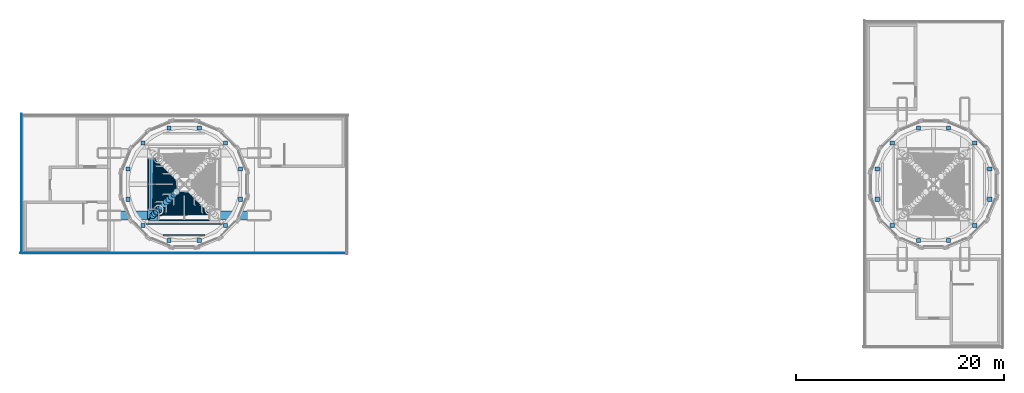
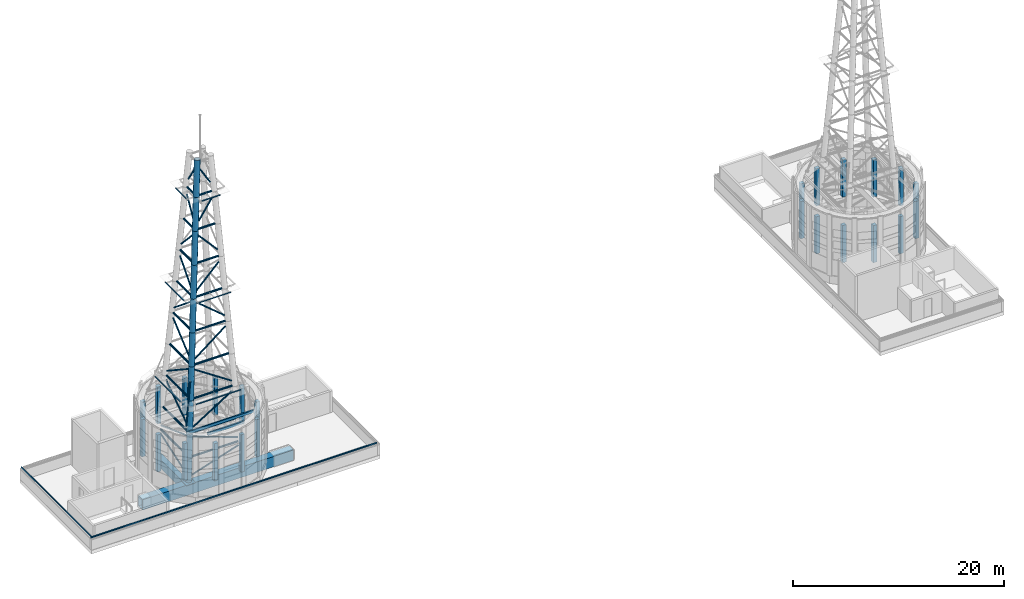
# One storey, part 1 of 36: 52 members, 24 columns, 10 beams.
"""IFC4 building model written with IfcOpenShell, lengths in metres."""

from ifc_helpers import new_model, si_unit, direction, frame, origin, origin_2d, place, context, subcontext, project, spatial, rectangle, hollow_rectangle, hollow_circle, extrude, material, material_profile, profile_set, type_object, element, save


model = new_model("IFC4")

# Units and contexts
model_context = context("Model", 3, precision=1e-05, world=origin(), true_north=direction((0.0, 1.0)))
body_context = subcontext(model_context, "Body", "Model", "MODEL_VIEW")
ifc_project = project(units=[si_unit("LENGTHUNIT", "METRE"), si_unit("AREAUNIT", "SQUARE_METRE"), si_unit("VOLUMEUNIT", "CUBIC_METRE"), si_unit("PLANEANGLEUNIT", "RADIAN"), si_unit("MASSUNIT", "GRAM", prefix="KILO")], contexts=[model_context])

# Site, building, storey
site_placement = place(None, origin())
site = spatial("IfcSite", under=ifc_project, at=site_placement, CompositionType="ELEMENT")
building_placement = place(site_placement, origin())
building = spatial("IfcBuilding", under=site, at=building_placement, Name="Ipe Terrace Towers", CompositionType="ELEMENT")
storey_placement = place(building_placement, frame((0.0, 0.0, 264.89990234375)))
storey = spatial("IfcBuildingStorey", under=building, at=storey_placement, Name="Roof", CompositionType="ELEMENT", Elevation=264.89990234375)

# Columns
ifc_material_1 = material(Name="Concrete C40/50", Category="concrete")
ifc_material_profile_1 = material_profile(ifc_material_1, rectangle(XDim=0.39990234375, YDim=0.39990234375, at=origin_2d()), Name="CROWN-DRUM POST C40/50 400x400")
ifc_profile_set_1 = profile_set([ifc_material_profile_1], Name="Concrete C40/50")
column_type = type_object("IfcColumnType", Name="CROWN-DRUM POST C40/50 400x400", PredefinedType="COLUMN", material=ifc_profile_set_1)
for number, where, z_axis, x_axis, name in (
    (1, (-30.591064453125, 1.448974609375, 2.400146484375), (0.0, 0.0, 1.0), (1.0, 0.0, 0.0), "T1-CP01 drum post"),
    (2, (-32.0400390625, 3.9599609375, 2.400146484375), (0.0, 0.0, 1.0), (1.0, 0.0, 0.0), "T1-CP02 drum post"),
    (3, (-34.551025390625, 5.408935546875, 2.400146484375), (0.0, 0.0, 1.0), (1.0, 0.0, 0.0), "T1-CP03 drum post"),
    (4, (-37.448974609375, 5.408935546875, 2.400146484375), (0.0, 0.0, 1.0), (1.0, 0.0, 0.0), "T1-CP04 drum post"),
    (5, (-39.9599609375, 3.9599609375, 2.400146484375), (0.0, 0.0, 1.0), (1.0, 0.0, 0.0), "T1-CP05 drum post"),
    (6, (-41.408935546875, 1.448974609375, 2.400146484375), (0.0, 0.0, 1.0), (1.0, 0.0, 0.0), "T1-CP06 drum post"),
    (7, (-41.408935546875, -1.448974609375, 2.400146484375), (0.0, 0.0, 1.0), (1.0, 0.0, 0.0), "T1-CP07 drum post"),
    (8, (-39.9599609375, -3.9599609375, 2.400146484375), (0.0, 0.0, 1.0), (1.0, 0.0, 0.0), "T1-CP08 drum post"),
    (9, (-37.448974609375, -5.408935546875, 2.400146484375), (0.0, 0.0, 1.0), (1.0, 0.0, 0.0), "T1-CP09 drum post"),
    (10, (-34.551025390625, -5.408935546875, 2.400146484375), (0.0, 0.0, 1.0), (1.0, 0.0, 0.0), "T1-CP10 drum post"),
    (11, (-32.0400390625, -3.9599609375, 2.400146484375), (0.0, 0.0, 1.0), (1.0, 0.0, 0.0), "T1-CP11 drum post"),
    (12, (-30.591064453125, -1.448974609375, 2.400146484375), (0.0, 0.0, 1.0), (1.0, 0.0, 0.0), "T1-CP12 drum post"),
    (13, (34.551025390625, 5.408935546875, 2.400146484375), (0.0, 0.0, 1.0), (1.0, 0.0, 0.0), "T2-CP01 drum post"),
    (14, (32.0400390625, 3.9599609375, 2.400146484375), (0.0, 0.0, 1.0), (1.0, 0.0, 0.0), "T2-CP02 drum post"),
    (15, (30.591064453125, 1.448974609375, 2.400146484375), (0.0, 0.0, 1.0), (1.0, 0.0, 0.0), "T2-CP03 drum post"),
    (16, (30.591064453125, -1.448974609375, 2.400146484375), (0.0, 0.0, 1.0), (1.0, 0.0, 0.0), "T2-CP04 drum post"),
    (17, (32.0400390625, -3.9599609375, 2.400146484375), (0.0, 0.0, 1.0), (1.0, 0.0, 0.0), "T2-CP05 drum post"),
    (18, (34.551025390625, -5.408935546875, 2.400146484375), (0.0, 0.0, 1.0), (1.0, 0.0, 0.0), "T2-CP06 drum post"),
    (19, (37.448974609375, -5.408935546875, 2.400146484375), (0.0, 0.0, 1.0), (1.0, 0.0, 0.0), "T2-CP07 drum post"),
    (20, (39.9599609375, -3.9599609375, 2.400146484375), (0.0, 0.0, 1.0), (1.0, 0.0, 0.0), "T2-CP08 drum post"),
    (21, (41.408935546875, -1.448974609375, 2.400146484375), (0.0, 0.0, 1.0), (1.0, 0.0, 0.0), "T2-CP09 drum post"),
    (22, (41.408935546875, 1.448974609375, 2.400146484375), (0.0, 0.0, 1.0), (1.0, 0.0, 0.0), "T2-CP10 drum post"),
    (23, (39.9599609375, 3.9599609375, 2.400146484375), (0.0, 0.0, 1.0), (1.0, 0.0, 0.0), "T2-CP11 drum post"),
    (24, (37.448974609375, 5.408935546875, 2.400146484375), (0.0, 0.0, 1.0), (1.0, 0.0, 0.0), "T2-CP12 drum post"),
):
    element("IfcColumn", number, at=place(storey_placement, frame(where, z_axis=z_axis, x_axis=x_axis)), inside=storey, type_object=column_type, Name=name, PredefinedType="COLUMN", context=body_context, shape_type="SweptSolid", body=[
        extrude(rectangle(XDim=0.39990234375, YDim=0.39990234375, at=origin_2d()), origin(), (0.0, 0.0, 1.0), 4.300048828125),
    ])

# Beams
ifc_material_2 = material(Name="Steel S355", Category="steel")
ifc_material_profile_2 = material_profile(ifc_material_2, hollow_rectangle(XDim=0.60009765625, YDim=1.0, WallThickness=0.030029296875, at=origin_2d()), Name="CROWN-CROSS BEAM BOX 600x1000x30")
ifc_profile_set_2 = profile_set([ifc_material_profile_2], Name="Steel S355")
beam_type_1 = type_object("IfcBeamType", Name="CROWN-CROSS BEAM BOX 600x1000x30", PredefinedType="BEAM", material=ifc_profile_set_2)
beam_1_placement = place(storey_placement, frame((-39.0, -2.60009765625, 0.5), z_axis=(0.0, 1.0, 0.0), x_axis=(-1.0, 0.0, 0.0)))
element("IfcBeam", 25, at=beam_1_placement, inside=storey, type_object=beam_type_1, Name="T1-CX1 crown cross beam", PredefinedType="BEAM", context=body_context, shape_type="SweptSolid", body=[
    extrude(hollow_rectangle(XDim=0.60009765625, YDim=1.0, WallThickness=0.030029296875, at=origin_2d()), origin(), (0.0, 0.0, 1.0), 5.2001953125),
])
ifc_material_3 = material(Name="Steel S355", Category="steel")
ifc_material_profile_3 = material_profile(ifc_material_3, hollow_rectangle(XDim=0.14990234375, YDim=0.300048828125, WallThickness=0.010009765625, at=origin_2d()), Name="CROWN-DRUM PURLIN BOX 150x300x10")
ifc_profile_set_3 = profile_set([ifc_material_profile_3], Name="Steel S355")
beam_type_2 = type_object("IfcBeamType", Name="CROWN-DRUM PURLIN BOX 150x300x10", PredefinedType="BEAM", material=ifc_profile_set_3)
beam_2_placement = place(storey_placement, frame((-39.68701171875, -3.800048828125, 7.550048828125), z_axis=(1.0, 0.0, 0.0), x_axis=(0.0, 1.0, 0.0)))
element("IfcBeam", 26, at=beam_2_placement, inside=storey, type_object=beam_type_2, Name="T1-CR-PU1S drum roof purlin", PredefinedType="BEAM", context=body_context, shape_type="SweptSolid", body=[
    extrude(hollow_rectangle(XDim=0.14990234375, YDim=0.300048828125, WallThickness=0.010009765625, at=origin_2d()), origin(), (0.0, 0.0, 1.0), 7.3740234375),
])
beam_3_placement = place(storey_placement, frame((-38.01806640625, -4.89990234375, 7.550048828125), z_axis=(1.0, 0.0, 0.0), x_axis=(0.0, 1.0, 0.0)))
element("IfcBeam", 27, at=beam_3_placement, inside=storey, type_object=beam_type_2, Name="T1-CR-PU2S drum roof purlin", PredefinedType="BEAM", context=body_context, shape_type="SweptSolid", body=[
    extrude(hollow_rectangle(XDim=0.14990234375, YDim=0.300048828125, WallThickness=0.010009765625, at=origin_2d()), origin(), (0.0, 0.0, 1.0), 4.0361328125),
])
ifc_material_4 = material(Name="Steel S355", Category="steel")
ifc_material_profile_4 = material_profile(ifc_material_4, hollow_rectangle(XDim=0.800048828125, YDim=1.199951171875, WallThickness=0.0400390625, at=origin_2d()), Name="CROWN-GIRDER BOX 800x1200x40")
ifc_profile_set_4 = profile_set([ifc_material_profile_4], Name="Steel S355")
beam_type_3 = type_object("IfcBeamType", Name="CROWN-GIRDER BOX 800x1200x40", PredefinedType="BEAM", material=ifc_profile_set_4)
beam_4_placement = place(storey_placement, frame((-44.25, -3.0, 0.60009765625), z_axis=(1.0, 0.0, 0.0), x_axis=(0.0, 1.0, 0.0)))
element("IfcBeam", 28, at=beam_4_placement, inside=storey, type_object=beam_type_3, Name="T1-CG1 crown girder", PredefinedType="BEAM", context=body_context, shape_type="SweptSolid", body=[
    extrude(hollow_rectangle(XDim=0.800048828125, YDim=1.199951171875, WallThickness=0.0400390625, at=origin_2d()), origin(), (0.0, 0.0, 1.0), 16.5),
])

# Members
ifc_material_5 = material(Name="Steel S355", Category="steel")
member_type_1 = type_object("IfcMemberType", Name="MAST-BASE PLATE 1000x1000x50", PredefinedType="PLATE", material=ifc_material_5)
member_1_placement = place(storey_placement, frame((-39.0, -3.0, 1.2001953125), z_axis=(0.0, 0.0, 1.0), x_axis=(1.0, 0.0, 0.0)))
element("IfcMember", 29, at=member_1_placement, inside=storey, type_object=member_type_1, Name="T1-MP-SW mast base plate", PredefinedType="PLATE", context=body_context, shape_type="SweptSolid", body=[
    extrude(rectangle(XDim=1.0, YDim=1.0, at=origin_2d()), origin(), (0.0, 0.0, 1.0), 0.050048828125),
])
ifc_material_6 = material(Name="Steel S355", Category="steel")
ifc_material_profile_5 = material_profile(ifc_material_6, hollow_circle(Radius=0.083984375, WallThickness=0.008056640625, at=origin_2d()), Name="MAST-BRACE CHS 168x8")
ifc_profile_set_5 = profile_set([ifc_material_profile_5], Name="Steel S355")
member_type_2 = type_object("IfcMemberType", Name="MAST-BRACE CHS 168x8", PredefinedType="BRACE", material=ifc_profile_set_5)
for number, where, z_axis, x_axis, name in (
    (30, (-38.653076171875, -2.9609375, 1.84619140625), (0.95633740865, 0.018900125811, 0.291653126265), (-0.019759172589, 0.999804768492, 0.0), "T1-MS-081 mast brace"),
    (31, (-38.9609375, -2.653076171875, 1.84619140625), (0.018900125811, 0.95633740865, 0.291653126265), (-0.999804768492, 0.019759172589, 0.0), "T1-MS-084 mast brace"),
):
    element("IfcMember", number, at=place(storey_placement, frame(where, z_axis=z_axis, x_axis=x_axis)), inside=storey, type_object=member_type_2, Name=name, PredefinedType="BRACE", context=body_context, shape_type="SweptSolid", body=[
        extrude(hollow_circle(Radius=0.083984375, WallThickness=0.008056640625, at=origin_2d()), origin(), (0.0, 0.0, 1.0), 5.451171875),
    ])
for number, where, z_axis, x_axis, name in (
    (32, (-33.510986328125, -2.800048828125, 4.337158203125), (-0.943457644837, 0.021489448759, 0.330795822209), (-0.022771426579, -0.999740697447, 0.0), "T1-MS-085 mast brace"),
    (33, (-38.800048828125, 2.489013671875, 4.337158203125), (0.021489448759, -0.943457644837, 0.330795822209), (0.999740697447, 0.022771426579, 0.0), "T1-MS-088 mast brace"),
):
    element("IfcMember", number, at=place(storey_placement, frame(where, z_axis=z_axis, x_axis=x_axis)), inside=storey, type_object=member_type_2, Name=name, PredefinedType="BRACE", context=body_context, shape_type="SweptSolid", body=[
        extrude(hollow_circle(Radius=0.083984375, WallThickness=0.008056640625, at=origin_2d()), origin(), (0.0, 0.0, 1.0), 5.169189453125),
    ])
for number, where, z_axis, x_axis, name in (
    (34, (-38.299072265625, -2.625, 7.049072265625), (0.861593500924, 0.032799136464, 0.506538108944), (-0.038040440683, 0.999276200493, 0.0), "T1-MS-089 mast brace"),
    (35, (-38.625, -2.299072265625, 7.049072265625), (0.032799136464, 0.861593500924, 0.506538108944), (-0.999276200493, 0.038040440683, 0.0), "T1-MS-092 mast brace"),
):
    element("IfcMember", number, at=place(storey_placement, frame(where, z_axis=z_axis, x_axis=x_axis)), inside=storey, type_object=member_type_2, Name=name, PredefinedType="BRACE", context=body_context, shape_type="SweptSolid", body=[
        extrude(hollow_circle(Radius=0.083984375, WallThickness=0.008056640625, at=origin_2d()), origin(), (0.0, 0.0, 1.0), 5.15087890625),
    ])
for number, where, z_axis, x_axis, name in (
    (36, (-33.944091796875, -2.384033203125, 10.760009765625), (-0.838296395107, 0.035198613688, 0.544077394811), (-0.041951303887, -0.999119656549, 0.0), "T1-MS-093 mast brace"),
    (37, (-38.384033203125, 2.055908203125, 10.760009765625), (0.035198613688, -0.838296395107, 0.544077394811), (0.999119656549, 0.041951303887, 0.0), "T1-MS-096 mast brace"),
):
    element("IfcMember", number, at=place(storey_placement, frame(where, z_axis=z_axis, x_axis=x_axis)), inside=storey, type_object=member_type_2, Name=name, PredefinedType="BRACE", context=body_context, shape_type="SweptSolid", body=[
        extrude(hollow_circle(Radius=0.083984375, WallThickness=0.008056640625, at=origin_2d()), origin(), (0.0, 0.0, 1.0), 4.716552734375),
    ])
for number, where, z_axis, x_axis, name in (
    (38, (-37.81201171875, -2.14404296875, 14.47705078125), (0.809549669247, 0.038048207912, 0.58581709338), (-0.046947402964, 0.998897362773, 0.0), "T1-MS-097 mast brace"),
    (39, (-38.14404296875, -1.81201171875, 14.47705078125), (0.038048207912, 0.809549669247, 0.58581709338), (-0.998897362773, 0.046947402964, 0.0), "T1-MS-100 mast brace"),
):
    element("IfcMember", number, at=place(storey_placement, frame(where, z_axis=z_axis, x_axis=x_axis)), inside=storey, type_object=member_type_2, Name=name, PredefinedType="BRACE", context=body_context, shape_type="SweptSolid", body=[
        extrude(hollow_circle(Radius=0.083984375, WallThickness=0.008056640625, at=origin_2d()), origin(), (0.0, 0.0, 1.0), 4.286376953125),
    ])
for number, where, z_axis, x_axis, name in (
    (40, (-34.43310546875, -1.902099609375, 18.2021484375), (-0.772991343968, 0.04098334077, 0.633091421463), (-0.052944783342, -0.998597441373, 0.0), "T1-MS-101 mast brace"),
    (41, (-37.902099609375, 1.56689453125, 18.2021484375), (0.04098334077, -0.772991343968, 0.633091421463), (0.998597441373, 0.052944783342, 0.0), "T1-MS-104 mast brace"),
):
    element("IfcMember", number, at=place(storey_placement, frame(where, z_axis=z_axis, x_axis=x_axis)), inside=storey, type_object=member_type_2, Name=name, PredefinedType="BRACE", context=body_context, shape_type="SweptSolid", body=[
        extrude(hollow_circle(Radius=0.083984375, WallThickness=0.008056640625, at=origin_2d()), origin(), (0.0, 0.0, 1.0), 3.860107421875),
    ])
for number, where, z_axis, x_axis, name in (
    (42, (-37.321044921875, -1.659912109375, 21.940185546875), (0.727074463766, 0.044215908923, 0.685133328293), (-0.060701311747, 0.998155975162, 0.0), "T1-MS-105 mast brace"),
    (43, (-37.659912109375, -1.321044921875, 21.940185546875), (0.044215908923, 0.727074463766, 0.685133328293), (-0.998155975162, 0.060701311747, 0.0), "T1-MS-108 mast brace"),
):
    element("IfcMember", number, at=place(storey_placement, frame(where, z_axis=z_axis, x_axis=x_axis)), inside=storey, type_object=member_type_2, Name=name, PredefinedType="BRACE", context=body_context, shape_type="SweptSolid", body=[
        extrude(hollow_circle(Radius=0.083984375, WallThickness=0.008056640625, at=origin_2d()), origin(), (0.0, 0.0, 1.0), 3.434326171875),
    ])
for number, where, z_axis, x_axis, name in (
    (44, (-34.926025390625, -1.4169921875, 25.697021484375), (-0.668752352567, 0.047924679705, 0.741939024456), (-0.071479511749, -0.997442068192, 0.0), "T1-MS-109 mast brace"),
    (45, (-37.4169921875, 1.073974609375, 25.697021484375), (0.047924679705, -0.668752352567, 0.741939024456), (0.997442068192, 0.071479511749, 0.0), "T1-MS-112 mast brace"),
):
    element("IfcMember", number, at=place(storey_placement, frame(where, z_axis=z_axis, x_axis=x_axis)), inside=storey, type_object=member_type_2, Name=name, PredefinedType="BRACE", context=body_context, shape_type="SweptSolid", body=[
        extrude(hollow_circle(Radius=0.083984375, WallThickness=0.008056640625, at=origin_2d()), origin(), (0.0, 0.0, 1.0), 3.005615234375),
    ])
for number, where, z_axis, x_axis, name in (
    (46, (-36.823974609375, -1.172119140625, 29.488037109375), (0.594854854142, 0.052037864447, 0.802146971051), (-0.087147114263, 0.996195452949, 0.0), "T1-MS-113 mast brace"),
    (47, (-37.172119140625, -0.823974609375, 29.488037109375), (0.052037864447, 0.594854854142, 0.802146971051), (-0.996195452949, 0.087147114263, 0.0), "T1-MS-116 mast brace"),
):
    element("IfcMember", number, at=place(storey_placement, frame(where, z_axis=z_axis, x_axis=x_axis)), inside=storey, type_object=member_type_2, Name=name, PredefinedType="BRACE", context=body_context, shape_type="SweptSolid", body=[
        extrude(hollow_circle(Radius=0.083984375, WallThickness=0.008056640625, at=origin_2d()), origin(), (0.0, 0.0, 1.0), 2.556884765625),
    ])
for number, where, z_axis, x_axis, name in (
    (48, (-35.429931640625, -0.922119140625, 33.342041015625), (-0.502115544078, 0.056120894342, 0.862977650703), (-0.111077233897, -0.993811777003, 0.0), "T1-MS-117 mast brace"),
    (49, (-36.922119140625, 0.570068359375, 33.342041015625), (0.056120894342, -0.502115544078, 0.862977650703), (0.993811777003, 0.111077233897, 0.0), "T1-MS-120 mast brace"),
):
    element("IfcMember", number, at=place(storey_placement, frame(where, z_axis=z_axis, x_axis=x_axis)), inside=storey, type_object=member_type_2, Name=name, PredefinedType="BRACE", context=body_context, shape_type="SweptSolid", body=[
        extrude(hollow_circle(Radius=0.083984375, WallThickness=0.008056640625, at=origin_2d()), origin(), (0.0, 0.0, 1.0), 2.05322265625),
    ])
ifc_material_7 = material(Name="Steel S355", Category="steel")
ifc_material_profile_6 = material_profile(ifc_material_7, hollow_circle(Radius=0.304931640625, WallThickness=0.02490234375, at=origin_2d()), Name="MAST-LEG CHS 610x25")
ifc_profile_set_6 = profile_set([ifc_material_profile_6], Name="Steel S355")
member_type_3 = type_object("IfcMemberType", Name="MAST-LEG CHS 610x25", PredefinedType="POST", material=ifc_profile_set_6)
member_2_placement = place(storey_placement, frame((-38.998046875, -2.998046875, 1.277099609375), z_axis=(0.064386978036, 0.064386978036, 0.995845687905), x_axis=(-0.707106781187, 0.707106781187, 0.0)))
element("IfcMember", 50, at=member_2_placement, inside=storey, type_object=member_type_3, Name="T1-MS-001 mast leg", PredefinedType="POST", context=body_context, shape_type="SweptSolid", body=[
    extrude(hollow_circle(Radius=0.304931640625, WallThickness=0.02490234375, at=origin_2d()), origin(), (0.0, 0.0, 1.0), 2.608642578125),
])
member_3_placement = place(storey_placement, frame((-38.830078125, -2.830078125, 3.875), z_axis=(0.064554439306, 0.064554439306, 0.995824004898), x_axis=(-0.707106781187, 0.707106781187, 0.0)))
element("IfcMember", 51, at=member_3_placement, inside=storey, type_object=member_type_3, Name="T1-MS-002 mast leg", PredefinedType="POST", context=body_context, shape_type="SweptSolid", body=[
    extrude(hollow_circle(Radius=0.304931640625, WallThickness=0.02490234375, at=origin_2d()), origin(), (0.0, 0.0, 1.0), 2.635986328125),
])
member_4_placement = place(storey_placement, frame((-38.659912109375, -2.659912109375, 6.5), z_axis=(0.064555132618, 0.064555132618, 0.99582391501), x_axis=(-0.707106781187, 0.707106781187, 0.0)))
element("IfcMember", 52, at=member_4_placement, inside=storey, type_object=member_type_3, Name="T1-MS-003 mast leg", PredefinedType="POST", context=body_context, shape_type="SweptSolid", body=[
    extrude(hollow_circle(Radius=0.304931640625, WallThickness=0.02490234375, at=origin_2d()), origin(), (0.0, 0.0, 1.0), 3.702392578125),
])
member_5_placement = place(storey_placement, frame((-38.4208984375, -2.4208984375, 10.18701171875), z_axis=(0.064211293321, 0.064211293321, 0.995868374646), x_axis=(-0.707106781187, 0.707106781187, 0.0)))
element("IfcMember", 53, at=member_5_placement, inside=storey, type_object=member_type_3, Name="T1-MS-004 mast leg", PredefinedType="POST", context=body_context, shape_type="SweptSolid", body=[
    extrude(hollow_circle(Radius=0.304931640625, WallThickness=0.02490234375, at=origin_2d()), origin(), (0.0, 0.0, 1.0), 3.703369140625),
])
member_6_placement = place(storey_placement, frame((-38.18310546875, -2.18310546875, 13.875), z_axis=(0.064555132618, 0.064555132618, 0.99582391501), x_axis=(-0.707106781187, 0.707106781187, 0.0)))
element("IfcMember", 54, at=member_6_placement, inside=storey, type_object=member_type_3, Name="T1-MS-005 mast leg", PredefinedType="POST", context=body_context, shape_type="SweptSolid", body=[
    extrude(hollow_circle(Radius=0.304931640625, WallThickness=0.02490234375, at=origin_2d()), origin(), (0.0, 0.0, 1.0), 3.702392578125),
])
member_7_placement = place(storey_placement, frame((-37.944091796875, -1.944091796875, 17.56201171875), z_axis=(0.06453818113, 0.06453818113, 0.995826112508), x_axis=(-0.707106781187, 0.707106781187, 0.0)))
element("IfcMember", 55, at=member_7_placement, inside=storey, type_object=member_type_3, Name="T1-MS-006 mast leg", PredefinedType="POST", context=body_context, shape_type="SweptSolid", body=[
    extrude(hollow_circle(Radius=0.304931640625, WallThickness=0.02490234375, at=origin_2d()), origin(), (0.0, 0.0, 1.0), 3.703369140625),
])
member_8_placement = place(storey_placement, frame((-37.705078125, -1.705078125, 21.25), z_axis=(0.064555132618, 0.064555132618, 0.99582391501), x_axis=(-0.707106781187, 0.707106781187, 0.0)))
element("IfcMember", 56, at=member_8_placement, inside=storey, type_object=member_type_3, Name="T1-MS-007 mast leg", PredefinedType="POST", context=body_context, shape_type="SweptSolid", body=[
    extrude(hollow_circle(Radius=0.304931640625, WallThickness=0.02490234375, at=origin_2d()), origin(), (0.0, 0.0, 1.0), 3.702392578125),
])
member_9_placement = place(storey_placement, frame((-37.466064453125, -1.466064453125, 24.93701171875), z_axis=(0.06427667421, 0.06427667421, 0.9958599391), x_axis=(-0.707106781187, 0.707106781187, 0.0)))
element("IfcMember", 57, at=member_9_placement, inside=storey, type_object=member_type_3, Name="T1-MS-008 mast leg", PredefinedType="POST", context=body_context, shape_type="SweptSolid", body=[
    extrude(hollow_circle(Radius=0.304931640625, WallThickness=0.02490234375, at=origin_2d()), origin(), (0.0, 0.0, 1.0), 3.703369140625),
])
member_10_placement = place(storey_placement, frame((-37.22802734375, -1.22802734375, 28.625), z_axis=(0.064555132618, 0.064555132618, 0.99582391501), x_axis=(-0.707106781187, 0.707106781187, 0.0)))
element("IfcMember", 58, at=member_10_placement, inside=storey, type_object=member_type_3, Name="T1-MS-009 mast leg", PredefinedType="POST", context=body_context, shape_type="SweptSolid", body=[
    extrude(hollow_circle(Radius=0.304931640625, WallThickness=0.02490234375, at=origin_2d()), origin(), (0.0, 0.0, 1.0), 3.702392578125),
])
member_11_placement = place(storey_placement, frame((-36.989013671875, -0.989013671875, 32.31201171875), z_axis=(0.064601727709, 0.064601727709, 0.995817871678), x_axis=(-0.707106781187, 0.707106781187, 0.0)))
element("IfcMember", 59, at=member_11_placement, inside=storey, type_object=member_type_3, Name="T1-MS-010 mast leg", PredefinedType="POST", context=body_context, shape_type="SweptSolid", body=[
    extrude(hollow_circle(Radius=0.304931640625, WallThickness=0.02490234375, at=origin_2d()), origin(), (0.0, 0.0, 1.0), 4.054931640625),
])

# Beams
ifc_material_8 = material(Name="Steel S355", Category="steel")
ifc_material_profile_7 = material_profile(ifc_material_8, hollow_rectangle(XDim=0.10009765625, YDim=0.10009765625, WallThickness=0.006103515625, at=origin_2d()), Name="MAST-PLATFORM EDGE BEAM BOX 100x100x6")
ifc_profile_set_7 = profile_set([ifc_material_profile_7], Name="Steel S355")
beam_type_4 = type_object("IfcBeamType", Name="MAST-PLATFORM EDGE BEAM BOX 100x100x6", PredefinedType="BEAM", material=ifc_profile_set_7)
for number, where, z_axis, x_axis, name in (
    (60, (-38.470947265625, -3.470947265625, 10.2470703125), (1.0, 0.0, 0.0), (0.0, 1.0, 0.0), "T1-MS-129 mast platform edge beam"),
    (61, (-39.470947265625, -2.470947265625, 10.2470703125), (0.0, 1.0, 0.0), (-1.0, 0.0, 0.0), "T1-MS-131 mast platform edge beam"),
):
    element("IfcBeam", number, at=place(storey_placement, frame(where, z_axis=z_axis, x_axis=x_axis)), inside=storey, type_object=beam_type_4, Name=name, PredefinedType="BEAM", context=body_context, shape_type="SweptSolid", body=[
        extrude(hollow_rectangle(XDim=0.10009765625, YDim=0.10009765625, WallThickness=0.006103515625, at=origin_2d()), origin(), (0.0, 0.0, 1.0), 4.94189453125),
    ])
for number, where, z_axis, x_axis, name in (
    (62, (-37.7548828125, -2.7548828125, 21.31005859375), (1.0, 0.0, 0.0), (0.0, 1.0, 0.0), "T1-MS-145 mast platform edge beam"),
    (63, (-38.7548828125, -1.7548828125, 21.31005859375), (0.0, 1.0, 0.0), (-1.0, 0.0, 0.0), "T1-MS-147 mast platform edge beam"),
):
    element("IfcBeam", number, at=place(storey_placement, frame(where, z_axis=z_axis, x_axis=x_axis)), inside=storey, type_object=beam_type_4, Name=name, PredefinedType="BEAM", context=body_context, shape_type="SweptSolid", body=[
        extrude(hollow_rectangle(XDim=0.10009765625, YDim=0.10009765625, WallThickness=0.006103515625, at=origin_2d()), origin(), (0.0, 0.0, 1.0), 3.509765625),
    ])
for number, where, z_axis, x_axis, name in (
    (64, (-37.0390625, -2.0390625, 32.3720703125), (1.0, 0.0, 0.0), (0.0, 1.0, 0.0), "T1-MS-161 mast platform edge beam"),
    (65, (-38.0390625, -1.0390625, 32.3720703125), (0.0, 1.0, 0.0), (-1.0, 0.0, 0.0), "T1-MS-163 mast platform edge beam"),
):
    element("IfcBeam", number, at=place(storey_placement, frame(where, z_axis=z_axis, x_axis=x_axis)), inside=storey, type_object=beam_type_4, Name=name, PredefinedType="BEAM", context=body_context, shape_type="SweptSolid", body=[
        extrude(hollow_rectangle(XDim=0.10009765625, YDim=0.10009765625, WallThickness=0.006103515625, at=origin_2d()), origin(), (0.0, 0.0, 1.0), 2.078125),
    ])

# Members
ifc_material_9 = material(Name="Steel S355", Category="steel")
ifc_material_profile_8 = material_profile(ifc_material_9, hollow_circle(Radius=0.109619140625, WallThickness=0.010009765625, at=origin_2d()), Name="MAST-RING CHS 219x10")
ifc_profile_set_8 = profile_set([ifc_material_profile_8], Name="Steel S355")
member_type_4 = type_object("IfcMemberType", Name="MAST-RING CHS 219x10", PredefinedType="STRUT", material=ifc_profile_set_8)
for number, where, z_axis, x_axis, name in (
    (66, (-38.51806640625, -2.830078125, 3.875), (1.0, 0.0, 0.0), (0.0, 1.0, 0.0), "T1-MS-041 mast ring"),
    (67, (-38.830078125, 2.51806640625, 3.875), (0.0, -1.0, 0.0), (1.0, 0.0, 0.0), "T1-MS-044 mast ring"),
):
    element("IfcMember", number, at=place(storey_placement, frame(where, z_axis=z_axis, x_axis=x_axis)), inside=storey, type_object=member_type_4, Name=name, PredefinedType="STRUT", context=body_context, shape_type="SweptSolid", body=[
        extrude(hollow_circle(Radius=0.109619140625, WallThickness=0.010009765625, at=origin_2d()), origin(), (0.0, 0.0, 1.0), 5.0361328125),
    ])
for number, where, z_axis, x_axis, name in (
    (68, (-38.347900390625, -2.659912109375, 6.5), (1.0, 0.0, 0.0), (0.0, 1.0, 0.0), "T1-MS-045 mast ring"),
    (69, (-38.659912109375, 2.347900390625, 6.5), (0.0, -1.0, 0.0), (1.0, 0.0, 0.0), "T1-MS-048 mast ring"),
):
    element("IfcMember", number, at=place(storey_placement, frame(where, z_axis=z_axis, x_axis=x_axis)), inside=storey, type_object=member_type_4, Name=name, PredefinedType="STRUT", context=body_context, shape_type="SweptSolid", body=[
        extrude(hollow_circle(Radius=0.109619140625, WallThickness=0.010009765625, at=origin_2d()), origin(), (0.0, 0.0, 1.0), 4.69580078125),
    ])
for number, where, z_axis, x_axis, name in (
    (70, (-38.10888671875, -2.4208984375, 10.18701171875), (1.0, 0.0, 0.0), (0.0, 1.0, 0.0), "T1-MS-049 mast ring"),
    (71, (-38.4208984375, 2.10888671875, 10.18701171875), (0.0, -1.0, 0.0), (1.0, 0.0, 0.0), "T1-MS-052 mast ring"),
):
    element("IfcMember", number, at=place(storey_placement, frame(where, z_axis=z_axis, x_axis=x_axis)), inside=storey, type_object=member_type_4, Name=name, PredefinedType="STRUT", context=body_context, shape_type="SweptSolid", body=[
        extrude(hollow_circle(Radius=0.109619140625, WallThickness=0.010009765625, at=origin_2d()), origin(), (0.0, 0.0, 1.0), 4.2177734375),
    ])
for number, where, z_axis, x_axis, name in (
    (72, (-37.8701171875, -2.18310546875, 13.875), (1.0, 0.0, 0.0), (0.0, 1.0, 0.0), "T1-MS-053 mast ring"),
    (73, (-38.18310546875, 1.8701171875, 13.875), (0.0, -1.0, 0.0), (1.0, 0.0, 0.0), "T1-MS-056 mast ring"),
):
    element("IfcMember", number, at=place(storey_placement, frame(where, z_axis=z_axis, x_axis=x_axis)), inside=storey, type_object=member_type_4, Name=name, PredefinedType="STRUT", context=body_context, shape_type="SweptSolid", body=[
        extrude(hollow_circle(Radius=0.109619140625, WallThickness=0.010009765625, at=origin_2d()), origin(), (0.0, 0.0, 1.0), 3.740234375),
    ])
for number, where, z_axis, x_axis, name in (
    (74, (-37.632080078125, -1.944091796875, 17.56201171875), (1.0, 0.0, 0.0), (0.0, 1.0, 0.0), "T1-MS-057 mast ring"),
    (75, (-37.944091796875, 1.632080078125, 17.56201171875), (0.0, -1.0, 0.0), (1.0, 0.0, 0.0), "T1-MS-060 mast ring"),
):
    element("IfcMember", number, at=place(storey_placement, frame(where, z_axis=z_axis, x_axis=x_axis)), inside=storey, type_object=member_type_4, Name=name, PredefinedType="STRUT", context=body_context, shape_type="SweptSolid", body=[
        extrude(hollow_circle(Radius=0.109619140625, WallThickness=0.010009765625, at=origin_2d()), origin(), (0.0, 0.0, 1.0), 3.26416015625),
    ])
for number, where, z_axis, x_axis, name in (
    (76, (-37.39306640625, -1.705078125, 21.25), (1.0, 0.0, 0.0), (0.0, 1.0, 0.0), "T1-MS-061 mast ring"),
    (77, (-37.705078125, 1.39306640625, 21.25), (0.0, -1.0, 0.0), (1.0, 0.0, 0.0), "T1-MS-064 mast ring"),
):
    element("IfcMember", number, at=place(storey_placement, frame(where, z_axis=z_axis, x_axis=x_axis)), inside=storey, type_object=member_type_4, Name=name, PredefinedType="STRUT", context=body_context, shape_type="SweptSolid", body=[
        extrude(hollow_circle(Radius=0.109619140625, WallThickness=0.010009765625, at=origin_2d()), origin(), (0.0, 0.0, 1.0), 2.7861328125),
    ])
for number, where, z_axis, x_axis, name in (
    (78, (-37.154052734375, -1.466064453125, 24.93701171875), (1.0, 0.0, 0.0), (0.0, 1.0, 0.0), "T1-MS-065 mast ring"),
    (79, (-37.466064453125, 1.154052734375, 24.93701171875), (0.0, -1.0, 0.0), (1.0, 0.0, 0.0), "T1-MS-068 mast ring"),
):
    element("IfcMember", number, at=place(storey_placement, frame(where, z_axis=z_axis, x_axis=x_axis)), inside=storey, type_object=member_type_4, Name=name, PredefinedType="STRUT", context=body_context, shape_type="SweptSolid", body=[
        extrude(hollow_circle(Radius=0.109619140625, WallThickness=0.010009765625, at=origin_2d()), origin(), (0.0, 0.0, 1.0), 2.30810546875),
    ])
for number, where, z_axis, x_axis, name in (
    (80, (-36.9150390625, -1.22802734375, 28.625), (1.0, 0.0, 0.0), (0.0, 1.0, 0.0), "T1-MS-069 mast ring"),
    (81, (-37.22802734375, 0.9150390625, 28.625), (0.0, -1.0, 0.0), (1.0, 0.0, 0.0), "T1-MS-072 mast ring"),
):
    element("IfcMember", number, at=place(storey_placement, frame(where, z_axis=z_axis, x_axis=x_axis)), inside=storey, type_object=member_type_4, Name=name, PredefinedType="STRUT", context=body_context, shape_type="SweptSolid", body=[
        extrude(hollow_circle(Radius=0.109619140625, WallThickness=0.010009765625, at=origin_2d()), origin(), (0.0, 0.0, 1.0), 1.830078125),
    ])
for number, where, z_axis, x_axis, name in (
    (82, (-36.677001953125, -0.989013671875, 32.31201171875), (1.0, 0.0, 0.0), (0.0, 1.0, 0.0), "T1-MS-073 mast ring"),
    (83, (-36.989013671875, 0.677001953125, 32.31201171875), (0.0, -1.0, 0.0), (1.0, 0.0, 0.0), "T1-MS-076 mast ring"),
):
    element("IfcMember", number, at=place(storey_placement, frame(where, z_axis=z_axis, x_axis=x_axis)), inside=storey, type_object=member_type_4, Name=name, PredefinedType="STRUT", context=body_context, shape_type="SweptSolid", body=[
        extrude(hollow_circle(Radius=0.109619140625, WallThickness=0.010009765625, at=origin_2d()), origin(), (0.0, 0.0, 1.0), 1.35400390625),
    ])
ifc_material_10 = material(Name="Steel S355", Category="steel")
ifc_material_profile_9 = material_profile(ifc_material_10, hollow_circle(Radius=0.070068359375, WallThickness=0.008056640625, at=origin_2d()), Name="MAST-STAY CHS 140x8")
ifc_profile_set_9 = profile_set([ifc_material_profile_9], Name="Steel S355")
member_type_5 = type_object("IfcMemberType", Name="MAST-STAY CHS 140x8", PredefinedType="BRACE", material=ifc_profile_set_9)
member_12_placement = place(storey_placement, frame((-39.5859375, -3.5859375, 8.132080078125), z_axis=(0.231014213208, 0.231014213208, 0.945126905019), x_axis=(-0.707106781187, 0.707106781187, 0.0)))
element("IfcMember", 84, at=member_12_placement, inside=storey, type_object=member_type_5, Name="T1-MS-S1 mast stay", PredefinedType="BRACE", context=body_context, shape_type="SweptSolid", body=[
    extrude(hollow_circle(Radius=0.070068359375, WallThickness=0.008056640625, at=origin_2d()), origin(), (0.0, 0.0, 1.0), 4.51904296875),
])
ifc_material_11 = material(Name="Stainless steel S316", Category="steel")
ifc_material_profile_10 = material_profile(ifc_material_11, rectangle(XDim=0.06005859375, YDim=0.14990234375, at=origin_2d()), Name="SNOW GUARD BAR")
ifc_profile_set_10 = profile_set([ifc_material_profile_10], Name="Stainless steel S316")
member_type_6 = type_object("IfcMemberType", Name="SNOW GUARD BAR", PredefinedType="USERDEFINED", material=ifc_profile_set_10)
member_13_placement = place(storey_placement, frame((-51.75, -6.625, 1.43505859375), z_axis=(1.0, 0.0, 0.0), x_axis=(0.0, 1.0, 0.0)))
element("IfcMember", 85, at=member_13_placement, inside=storey, type_object=member_type_6, Name="snow guard bar", ObjectType="SNOW GUARD", PredefinedType="USERDEFINED", context=body_context, shape_type="SweptSolid", body=[
    extrude(rectangle(XDim=0.06005859375, YDim=0.14990234375, at=origin_2d()), origin(), (0.0, 0.0, 1.0), 31.25),
])
member_14_placement = place(storey_placement, frame((-51.625, 6.75, 1.43505859375), z_axis=(0.0, -1.0, 0.0), x_axis=(1.0, 0.0, 0.0)))
element("IfcMember", 86, at=member_14_placement, inside=storey, type_object=member_type_6, Name="snow guard bar", ObjectType="SNOW GUARD", PredefinedType="USERDEFINED", context=body_context, shape_type="SweptSolid", body=[
    extrude(rectangle(XDim=0.06005859375, YDim=0.14990234375, at=origin_2d()), origin(), (0.0, 0.0, 1.0), 13.25),
])

save(model, "model.ifc")
